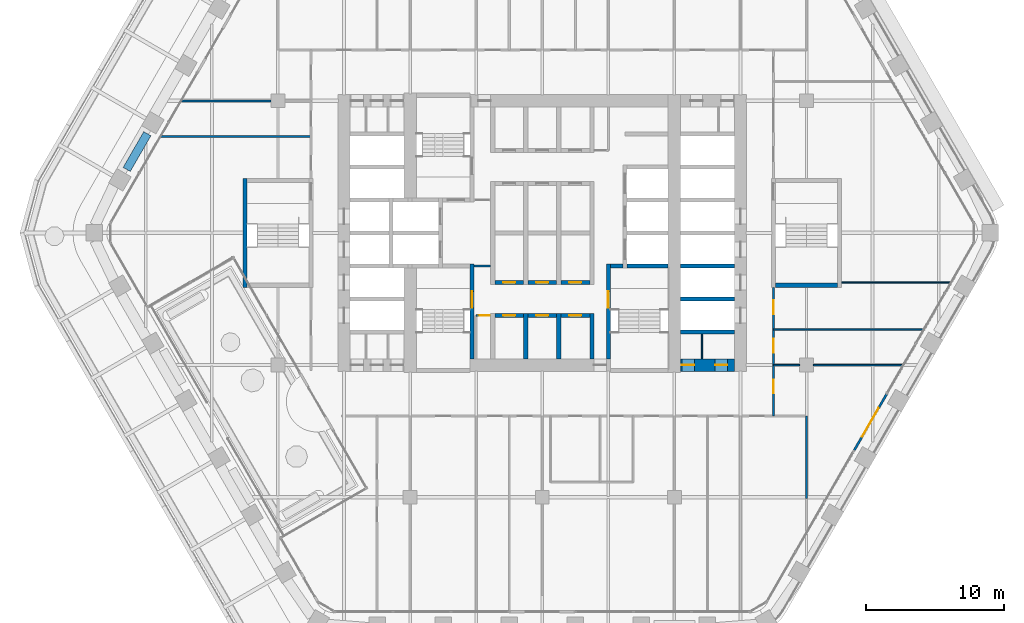
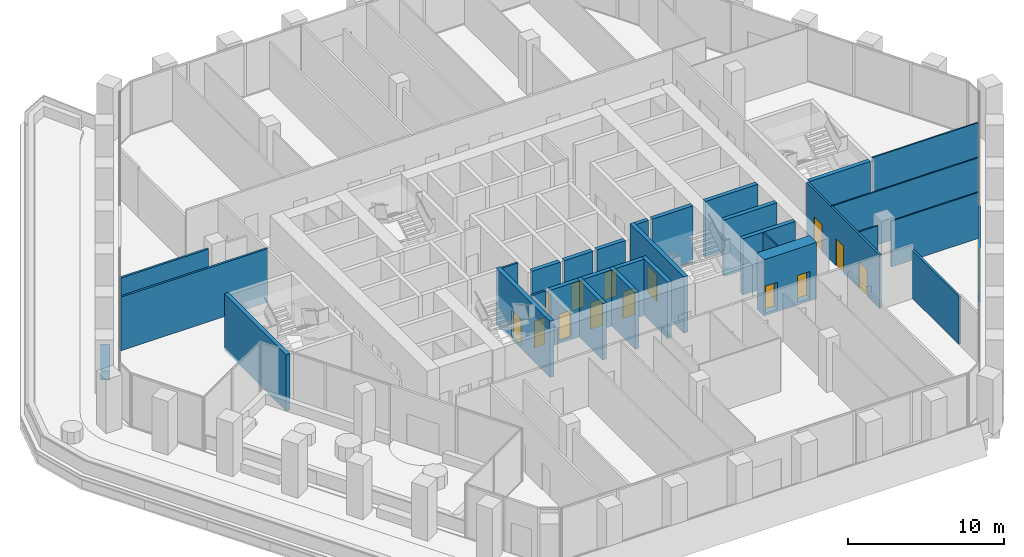
# One storey, part 16 of 27: 32 walls, 15 doors, 15 openings.
"""IFC4 building model written with IfcOpenShell, lengths in metres."""

from ifc_helpers import new_model, si_unit, direction, frame, frame_2d, origin, place, context, subcontext, project, spatial, rectangle, extrude, material, layer, layer_set, type_object, element, fill, save


model = new_model("IFC4")

# Units and contexts
model_context = context("Model", 3, precision=1e-05, world=origin(), true_north=direction((0.0, 1.0)))
body_context = subcontext(model_context, "Body", "Model", "MODEL_VIEW")
ifc_project = project(units=[si_unit("LENGTHUNIT", "METRE"), si_unit("AREAUNIT", "SQUARE_METRE"), si_unit("VOLUMEUNIT", "CUBIC_METRE"), si_unit("PLANEANGLEUNIT", "RADIAN"), si_unit("MASSUNIT", "GRAM", prefix="KILO")], contexts=[model_context])

# Site, building, storey
site_placement = place(None, origin())
site = spatial("IfcSite", under=ifc_project, at=site_placement, CompositionType="ELEMENT")
building_placement = place(site_placement, origin())
building = spatial("IfcBuilding", under=site, at=building_placement, Name="Kolab Exchange Tower", CompositionType="ELEMENT")
storey_placement = place(building_placement, frame((0.0, 0.0, 122.89990234375)))
storey = spatial("IfcBuildingStorey", under=building, at=storey_placement, Name="L24", CompositionType="ELEMENT", Elevation=122.89990234375)

# Wall, openings, doors
ifc_material_1 = material(Name="Concrete C70/85", Category="concrete")
ifc_layer_1 = layer(ifc_material_1, 0.89990234375)
ifc_layer_set_1 = layer_set([ifc_layer_1], Name="Concrete C70/85")
wall_type_1 = type_object("IfcWallType", Name="CORE WALL 900 C70/85", PredefinedType="SHEAR", material=ifc_layer_set_1)
wall_1_placement = place(storey_placement, frame((10.050048828125, -9.60009765625, -0.199951171875), z_axis=(0.0, 0.0, 1.0), x_axis=(1.0, 0.0, 0.0)))
wall_1 = element("IfcWall", 1, at=wall_1_placement, inside=storey, type_object=wall_type_1, Name="wall/L24/core/004", PredefinedType="SHEAR", context=body_context, shape_type="SweptSolid", body=[
    extrude(rectangle(XDim=3.89990234375, YDim=0.89990234375, at=frame_2d((1.949951171875, 0.0))), origin(), (0.0, 0.0, 1.0), 4.400146484375),
])
opening_1_placement = place(wall_1_placement, frame((0.10009765625, 0.0, 0.199951171875)))
opening_1 = element("IfcOpeningElement", 2, at=opening_1_placement, cuts=wall_1, Name="Opening D6-254", PredefinedType="OPENING", context=body_context, shape_type="SweptSolid", body=[
    extrude(rectangle(XDim=0.89990234375, YDim=2.10009765625, at=frame_2d((0.449951171875, 1.050048828125))), frame((0.0, 0.4599609375, 0.0), z_axis=(0.0, -1.0, 0.0), x_axis=(1.0, 0.0, 0.0)), (0.0, 0.0, 1.0), 0.919921875),
])
opening_2_placement = place(wall_1_placement, frame((2.5, 0.0, 0.199951171875)))
opening_2 = element("IfcOpeningElement", 3, at=opening_2_placement, cuts=wall_1, Name="Opening D6-255", PredefinedType="OPENING", context=body_context, shape_type="SweptSolid", body=[
    extrude(rectangle(XDim=0.89990234375, YDim=2.10009765625, at=frame_2d((0.449951171875, 1.050048828125))), frame((0.0, 0.4599609375, 0.0), z_axis=(0.0, -1.0, 0.0), x_axis=(1.0, 0.0, 0.0)), (0.0, 0.0, 1.0), 0.919921875),
])
ifc_material_2 = material(Name="Steel S235", Category="steel")
door_type_1 = type_object("IfcDoorType", Name="CORE DOOR 900 EI 120", OperationType="SINGLE_SWING_LEFT", PredefinedType="DOOR", material=ifc_material_2)
door_1_placement = place(opening_1_placement, origin())
door_1 = element("IfcDoor", 4, at=door_1_placement, inside=storey, type_object=door_type_1, Name="Service room door", OperationType="SINGLE_SWING_RIGHT", OverallHeight=2.10009765625, OverallWidth=0.89990234375, PredefinedType="DOOR", context=body_context, shape_type="SweptSolid", body=[
    extrude(rectangle(XDim=0.89990234375, YDim=2.10009765625, at=frame_2d((0.449951171875, 1.050048828125))), frame((0.0, 0.02490234375, 0.0), z_axis=(0.0, -1.0, 0.0), x_axis=(1.0, 0.0, 0.0)), (0.0, 0.0, 1.0), 0.050048828125),
])
fill(opening_1, door_1)
door_2_placement = place(opening_2_placement, origin())
door_2 = element("IfcDoor", 5, at=door_2_placement, inside=storey, type_object=door_type_1, Name="Service room door", OperationType="SINGLE_SWING_LEFT", OverallHeight=2.10009765625, OverallWidth=0.89990234375, PredefinedType="DOOR", context=body_context, shape_type="SweptSolid", body=[
    extrude(rectangle(XDim=0.89990234375, YDim=2.10009765625, at=frame_2d((0.449951171875, 1.050048828125))), frame((0.0, 0.02490234375, 0.0), z_axis=(0.0, -1.0, 0.0), x_axis=(1.0, 0.0, 0.0)), (0.0, 0.0, 1.0), 0.050048828125),
])
fill(opening_2, door_2)

# Wall, opening, door
ifc_material_3 = material(Name="Aluminium EN AW-6063 T6", Category="aluminium")
ifc_layer_2 = layer(ifc_material_3, 0.159912109375)
ifc_layer_set_2 = layer_set([ifc_layer_2], Name="Aluminium EN AW-6063 T6")
wall_type_2 = type_object("IfcWallType", Name="DOOR SURROUND WALL 160 ALUMINIUM FRAMED", PredefinedType="PARTITIONING", material=ifc_layer_set_2)
wall_2_placement = place(storey_placement, frame((25.0166015625, -11.706787109375, 0.0), z_axis=(0.0, 0.0, 1.0), x_axis=(-0.499978080042, -0.866038058908, 0.0)))
wall_2 = element("IfcWall", 6, at=wall_2_placement, inside=storey, type_object=wall_type_2, Name="Door surround wall", PredefinedType="PARTITIONING", context=body_context, shape_type="SweptSolid", body=[
    extrude(rectangle(XDim=4.739990234375, YDim=0.159912109375, at=frame_2d((2.3701171875, 0.0))), origin(), (0.0, 0.0, 1.0), 4.2001953125),
])
opening_3_placement = place(wall_2_placement, frame((1.169921875, 0.0, 0.0)))
opening_3 = element("IfcOpeningElement", 7, at=opening_3_placement, cuts=wall_2, Name="Opening GD1-045", PredefinedType="OPENING", context=body_context, shape_type="SweptSolid", body=[
    extrude(rectangle(XDim=2.39990234375, YDim=2.39990234375, at=frame_2d((1.199951171875, 1.199951171875))), frame((0.0, 0.08984375, 0.0), z_axis=(0.0, -1.0, 0.0), x_axis=(1.0, 0.0, 0.0)), (0.0, 0.0, 1.0), 0.179931640625),
])
door_type_2 = type_object("IfcDoorType", Name="LOGGIA SLIDING GLASS DOOR 2400 X 2400", OperationType="DOUBLE_DOOR_SINGLE_SWING", PredefinedType="DOOR", material=ifc_material_3)
door_3_placement = place(opening_3_placement, origin())
door_3 = element("IfcDoor", 8, at=door_3_placement, inside=storey, type_object=door_type_2, Name="Loggia door", OperationType="DOUBLE_DOOR_SLIDING", OverallHeight=2.39990234375, OverallWidth=2.39990234375, PredefinedType="DOOR", context=body_context, shape_type="SweptSolid", body=[
    extrude(rectangle(XDim=2.39990234375, YDim=2.39990234375, at=frame_2d((1.199951171875, 1.199951171875))), frame((0.0, 0.02490234375, 0.0), z_axis=(0.0, -1.0, 0.0), x_axis=(1.0, 0.0, 0.0)), (0.0, 0.0, 1.0), 0.050048828125),
])
fill(opening_3, door_3)

# Wall
ifc_material_4 = material(Name="Concrete C50/60", Category="concrete")
ifc_layer_3 = layer(ifc_material_4, 0.300048828125)
ifc_layer_set_3 = layer_set([ifc_layer_3], Name="Concrete C50/60")
wall_type_3 = type_object("IfcWallType", Name="LIFT SHAFT WALL 300 C50/60", PredefinedType="STANDARD", material=ifc_layer_set_3)
wall_3_placement = place(storey_placement, frame((10.050048828125, -7.199951171875, -0.199951171875), z_axis=(0.0, 0.0, 1.0), x_axis=(1.0, 0.0, 0.0)))
element("IfcWall", 9, at=wall_3_placement, inside=storey, type_object=wall_type_3, Name="wall/L24/core/006", PredefinedType="STANDARD", context=body_context, shape_type="SweptSolid", body=[
    extrude(rectangle(XDim=3.89990234375, YDim=0.300048828125, at=frame_2d((1.949951171875, 0.0))), origin(), (0.0, 0.0, 1.0), 4.400146484375),
])

# Wall, opening, door
wall_4_placement = place(storey_placement, frame((-3.449951171875, -6.0, -0.199951171875), z_axis=(0.0, 0.0, 1.0), x_axis=(1.0, 0.0, 0.0)))
wall_4 = element("IfcWall", 10, at=wall_4_placement, inside=storey, type_object=wall_type_3, Name="wall/L24/core/007", PredefinedType="STANDARD", context=body_context, shape_type="SweptSolid", body=[
    extrude(rectangle(XDim=2.099853515625, YDim=0.300048828125, at=frame_2d((1.0498046875, 0.0))), origin(), (0.0, 0.0, 1.0), 4.400146484375),
])
opening_4_placement = place(wall_4_placement, frame((0.60009765625, 0.0, 0.199951171875)))
opening_4 = element("IfcOpeningElement", 11, at=opening_4_placement, cuts=wall_4, Name="Opening D6-247", PredefinedType="OPENING", context=body_context, shape_type="SweptSolid", body=[
    extrude(rectangle(XDim=0.89990234375, YDim=2.10009765625, at=frame_2d((0.449951171875, 1.050048828125))), frame((0.0, 0.16015625, 0.0), z_axis=(0.0, -1.0, 0.0), x_axis=(1.0, 0.0, 0.0)), (0.0, 0.0, 1.0), 0.320068359375),
])
door_4_placement = place(opening_4_placement, frame((0.89990234375, 0.0, 0.0), z_axis=(0.0, 0.0, 1.0), x_axis=(-1.0, 0.0, 0.0)))
door_4 = element("IfcDoor", 12, at=door_4_placement, inside=storey, type_object=door_type_1, Name="Service room door", OperationType="SINGLE_SWING_LEFT", OverallHeight=2.10009765625, OverallWidth=0.89990234375, PredefinedType="DOOR", context=body_context, shape_type="SweptSolid", body=[
    extrude(rectangle(XDim=0.89990234375, YDim=2.10009765625, at=frame_2d((0.449951171875, 1.050048828125))), frame((0.0, 0.02490234375, 0.0), z_axis=(0.0, -1.0, 0.0), x_axis=(1.0, 0.0, 0.0)), (0.0, 0.0, 1.0), 0.050048828125),
])
fill(opening_4, door_4)

wall_5_placement = place(storey_placement, frame((-1.050048828125, -6.0, -0.199951171875), z_axis=(0.0, 0.0, 1.0), x_axis=(1.0, 0.0, 0.0)))
wall_5 = element("IfcWall", 13, at=wall_5_placement, inside=storey, type_object=wall_type_3, Name="wall/L24/core/008", PredefinedType="STANDARD", context=body_context, shape_type="SweptSolid", body=[
    extrude(rectangle(XDim=2.10009765625, YDim=0.300048828125, at=frame_2d((1.050048828125, 0.0))), origin(), (0.0, 0.0, 1.0), 4.400146484375),
])
opening_5_placement = place(wall_5_placement, frame((0.60009765625, 0.0, 0.199951171875)))
opening_5 = element("IfcOpeningElement", 14, at=opening_5_placement, cuts=wall_5, Name="Opening D6-246", PredefinedType="OPENING", context=body_context, shape_type="SweptSolid", body=[
    extrude(rectangle(XDim=0.89990234375, YDim=2.10009765625, at=frame_2d((0.449951171875, 1.050048828125))), frame((0.0, 0.16015625, 0.0), z_axis=(0.0, -1.0, 0.0), x_axis=(1.0, 0.0, 0.0)), (0.0, 0.0, 1.0), 0.320068359375),
])
door_5_placement = place(opening_5_placement, frame((0.89990234375, 0.0, 0.0), z_axis=(0.0, 0.0, 1.0), x_axis=(-1.0, 0.0, 0.0)))
door_5 = element("IfcDoor", 15, at=door_5_placement, inside=storey, type_object=door_type_1, Name="Service room door", OperationType="SINGLE_SWING_LEFT", OverallHeight=2.10009765625, OverallWidth=0.89990234375, PredefinedType="DOOR", context=body_context, shape_type="SweptSolid", body=[
    extrude(rectangle(XDim=0.89990234375, YDim=2.10009765625, at=frame_2d((0.449951171875, 1.050048828125))), frame((0.0, 0.02490234375, 0.0), z_axis=(0.0, -1.0, 0.0), x_axis=(1.0, 0.0, 0.0)), (0.0, 0.0, 1.0), 0.050048828125),
])
fill(opening_5, door_5)

wall_6_placement = place(storey_placement, frame((1.35009765625, -6.0, -0.199951171875), z_axis=(0.0, 0.0, 1.0), x_axis=(1.0, 0.0, 0.0)))
wall_6 = element("IfcWall", 16, at=wall_6_placement, inside=storey, type_object=wall_type_3, Name="wall/L24/core/009", PredefinedType="STANDARD", context=body_context, shape_type="SweptSolid", body=[
    extrude(rectangle(XDim=2.099853515625, YDim=0.300048828125, at=frame_2d((1.0498046875, 0.0))), origin(), (0.0, 0.0, 1.0), 4.400146484375),
])
opening_6_placement = place(wall_6_placement, frame((0.60009765625, 0.0, 0.199951171875)))
opening_6 = element("IfcOpeningElement", 17, at=opening_6_placement, cuts=wall_6, Name="Opening D6-245", PredefinedType="OPENING", context=body_context, shape_type="SweptSolid", body=[
    extrude(rectangle(XDim=0.89990234375, YDim=2.10009765625, at=frame_2d((0.449951171875, 1.050048828125))), frame((0.0, 0.16015625, 0.0), z_axis=(0.0, -1.0, 0.0), x_axis=(1.0, 0.0, 0.0)), (0.0, 0.0, 1.0), 0.320068359375),
])
door_6_placement = place(opening_6_placement, frame((0.89990234375, 0.0, 0.0), z_axis=(0.0, 0.0, 1.0), x_axis=(-1.0, 0.0, 0.0)))
door_6 = element("IfcDoor", 18, at=door_6_placement, inside=storey, type_object=door_type_1, Name="Service room door", OperationType="SINGLE_SWING_RIGHT", OverallHeight=2.10009765625, OverallWidth=0.89990234375, PredefinedType="DOOR", context=body_context, shape_type="SweptSolid", body=[
    extrude(rectangle(XDim=0.89990234375, YDim=2.10009765625, at=frame_2d((0.449951171875, 1.050048828125))), frame((0.0, 0.02490234375, 0.0), z_axis=(0.0, -1.0, 0.0), x_axis=(1.0, 0.0, 0.0)), (0.0, 0.0, 1.0), 0.050048828125),
])
fill(opening_6, door_6)

# Wall
wall_7_placement = place(storey_placement, frame((10.050048828125, -4.800048828125, -0.199951171875), z_axis=(0.0, 0.0, 1.0), x_axis=(1.0, 0.0, 0.0)))
element("IfcWall", 19, at=wall_7_placement, inside=storey, type_object=wall_type_3, Name="wall/L24/core/011", PredefinedType="STANDARD", context=body_context, shape_type="SweptSolid", body=[
    extrude(rectangle(XDim=3.89990234375, YDim=0.300048828125, at=frame_2d((1.949951171875, 0.0))), origin(), (0.0, 0.0, 1.0), 4.400146484375),
])

# Wall, opening, door
wall_8_placement = place(storey_placement, frame((-3.449951171875, -3.60009765625, -0.199951171875), z_axis=(0.0, 0.0, 1.0), x_axis=(1.0, 0.0, 0.0)))
wall_8 = element("IfcWall", 20, at=wall_8_placement, inside=storey, type_object=wall_type_3, Name="wall/L24/core/014", PredefinedType="STANDARD", context=body_context, shape_type="SweptSolid", body=[
    extrude(rectangle(XDim=2.099853515625, YDim=0.300048828125, at=frame_2d((1.0498046875, 0.0))), origin(), (0.0, 0.0, 1.0), 4.400146484375),
])
opening_7_placement = place(wall_8_placement, frame((0.60009765625, 0.0, 0.199951171875)))
opening_7 = element("IfcOpeningElement", 21, at=opening_7_placement, cuts=wall_8, Name="Opening D6-244", PredefinedType="OPENING", context=body_context, shape_type="SweptSolid", body=[
    extrude(rectangle(XDim=0.89990234375, YDim=2.10009765625, at=frame_2d((0.449951171875, 1.050048828125))), frame((0.0, 0.16015625, 0.0), z_axis=(0.0, -1.0, 0.0), x_axis=(1.0, 0.0, 0.0)), (0.0, 0.0, 1.0), 0.320068359375),
])
door_7_placement = place(opening_7_placement, origin())
door_7 = element("IfcDoor", 22, at=door_7_placement, inside=storey, type_object=door_type_1, Name="Service room door", OperationType="SINGLE_SWING_LEFT", OverallHeight=2.10009765625, OverallWidth=0.89990234375, PredefinedType="DOOR", context=body_context, shape_type="SweptSolid", body=[
    extrude(rectangle(XDim=0.89990234375, YDim=2.10009765625, at=frame_2d((0.449951171875, 1.050048828125))), frame((0.0, 0.02490234375, 0.0), z_axis=(0.0, -1.0, 0.0), x_axis=(1.0, 0.0, 0.0)), (0.0, 0.0, 1.0), 0.050048828125),
])
fill(opening_7, door_7)

wall_9_placement = place(storey_placement, frame((-1.050048828125, -3.60009765625, -0.199951171875), z_axis=(0.0, 0.0, 1.0), x_axis=(1.0, 0.0, 0.0)))
wall_9 = element("IfcWall", 23, at=wall_9_placement, inside=storey, type_object=wall_type_3, Name="wall/L24/core/015", PredefinedType="STANDARD", context=body_context, shape_type="SweptSolid", body=[
    extrude(rectangle(XDim=2.10009765625, YDim=0.300048828125, at=frame_2d((1.050048828125, 0.0))), origin(), (0.0, 0.0, 1.0), 4.400146484375),
])
opening_8_placement = place(wall_9_placement, frame((0.60009765625, 0.0, 0.199951171875)))
opening_8 = element("IfcOpeningElement", 24, at=opening_8_placement, cuts=wall_9, Name="Opening D6-243", PredefinedType="OPENING", context=body_context, shape_type="SweptSolid", body=[
    extrude(rectangle(XDim=0.89990234375, YDim=2.10009765625, at=frame_2d((0.449951171875, 1.050048828125))), frame((0.0, 0.16015625, 0.0), z_axis=(0.0, -1.0, 0.0), x_axis=(1.0, 0.0, 0.0)), (0.0, 0.0, 1.0), 0.320068359375),
])
door_8_placement = place(opening_8_placement, origin())
door_8 = element("IfcDoor", 25, at=door_8_placement, inside=storey, type_object=door_type_1, Name="Service room door", OperationType="SINGLE_SWING_LEFT", OverallHeight=2.10009765625, OverallWidth=0.89990234375, PredefinedType="DOOR", context=body_context, shape_type="SweptSolid", body=[
    extrude(rectangle(XDim=0.89990234375, YDim=2.10009765625, at=frame_2d((0.449951171875, 1.050048828125))), frame((0.0, 0.02490234375, 0.0), z_axis=(0.0, -1.0, 0.0), x_axis=(1.0, 0.0, 0.0)), (0.0, 0.0, 1.0), 0.050048828125),
])
fill(opening_8, door_8)

wall_10_placement = place(storey_placement, frame((1.35009765625, -3.60009765625, -0.199951171875), z_axis=(0.0, 0.0, 1.0), x_axis=(1.0, 0.0, 0.0)))
wall_10 = element("IfcWall", 26, at=wall_10_placement, inside=storey, type_object=wall_type_3, Name="wall/L24/core/016", PredefinedType="STANDARD", context=body_context, shape_type="SweptSolid", body=[
    extrude(rectangle(XDim=2.099853515625, YDim=0.300048828125, at=frame_2d((1.0498046875, 0.0))), origin(), (0.0, 0.0, 1.0), 4.400146484375),
])
opening_9_placement = place(wall_10_placement, frame((0.60009765625, 0.0, 0.199951171875)))
opening_9 = element("IfcOpeningElement", 27, at=opening_9_placement, cuts=wall_10, Name="Opening D6-242", PredefinedType="OPENING", context=body_context, shape_type="SweptSolid", body=[
    extrude(rectangle(XDim=0.89990234375, YDim=2.10009765625, at=frame_2d((0.449951171875, 1.050048828125))), frame((0.0, 0.16015625, 0.0), z_axis=(0.0, -1.0, 0.0), x_axis=(1.0, 0.0, 0.0)), (0.0, 0.0, 1.0), 0.320068359375),
])
door_9_placement = place(opening_9_placement, origin())
door_9 = element("IfcDoor", 28, at=door_9_placement, inside=storey, type_object=door_type_1, Name="Service room door", OperationType="SINGLE_SWING_RIGHT", OverallHeight=2.10009765625, OverallWidth=0.89990234375, PredefinedType="DOOR", context=body_context, shape_type="SweptSolid", body=[
    extrude(rectangle(XDim=0.89990234375, YDim=2.10009765625, at=frame_2d((0.449951171875, 1.050048828125))), frame((0.0, 0.02490234375, 0.0), z_axis=(0.0, -1.0, 0.0), x_axis=(1.0, 0.0, 0.0)), (0.0, 0.0, 1.0), 0.050048828125),
])
fill(opening_9, door_9)

# Walls
wall_11_placement = place(storey_placement, frame((10.050048828125, -2.39990234375, -0.199951171875), z_axis=(0.0, 0.0, 1.0), x_axis=(1.0, 0.0, 0.0)))
element("IfcWall", 29, at=wall_11_placement, inside=storey, type_object=wall_type_3, Name="wall/L24/core/023", PredefinedType="STANDARD", context=body_context, shape_type="SweptSolid", body=[
    extrude(rectangle(XDim=3.89990234375, YDim=0.300048828125, at=frame_2d((1.949951171875, 0.0))), origin(), (0.0, 0.0, 1.0), 4.400146484375),
])
for number, where, z_axis, x_axis, name in (
    (30, (-1.199951171875, -9.14990234375, -0.199951171875), (0.0, 0.0, 1.0), (0.0, 1.0, 0.0), "wall/L24/core/069"),
    (31, (1.199951171875, -9.14990234375, -0.199951171875), (0.0, 0.0, 1.0), (0.0, 1.0, 0.0), "wall/L24/core/072"),
    (32, (3.60009765625, -9.14990234375, -0.199951171875), (0.0, 0.0, 1.0), (0.0, 1.0, 0.0), "wall/L24/core/075"),
):
    element("IfcWall", number, at=place(storey_placement, frame(where, z_axis=z_axis, x_axis=x_axis)), inside=storey, type_object=wall_type_3, Name=name, PredefinedType="STANDARD", context=body_context, shape_type="SweptSolid", body=[
        extrude(rectangle(XDim=3.2998046875, YDim=0.300048828125, at=frame_2d((1.64990234375, 0.0))), origin(), (0.0, 0.0, 1.0), 4.400146484375),
    ])
ifc_material_5 = material(Name="Gypsum board", Category="gypsum")
ifc_layer_4 = layer(ifc_material_5, 0.10009765625)
ifc_layer_set_4 = layer_set([ifc_layer_4], Name="Gypsum board")
wall_type_4 = type_object("IfcWallType", Name="PARTITION 100", PredefinedType="PARTITIONING", material=ifc_layer_set_4)
wall_12_placement = place(storey_placement, frame((11.60009765625, -9.14990234375, 0.0), z_axis=(0.0, 0.0, 1.0), x_axis=(0.0, 1.0, 0.0)))
element("IfcWall", 33, at=wall_12_placement, inside=storey, type_object=wall_type_4, Name="Partition 008", PredefinedType="PARTITIONING", context=body_context, shape_type="SweptSolid", body=[
    extrude(rectangle(XDim=1.7998046875, YDim=0.10009765625, at=frame_2d((0.89990234375, 0.0))), origin(), (0.0, 0.0, 1.0), 4.2001953125),
])
wall_13_placement = place(storey_placement, frame((16.800048828125, -9.60009765625, 0.0), z_axis=(0.0, 0.0, 1.0), x_axis=(1.0, 0.0, 0.0)))
element("IfcWall", 34, at=wall_13_placement, inside=storey, type_object=wall_type_4, Name="Partition 043", PredefinedType="PARTITIONING", context=body_context, shape_type="SweptSolid", body=[
    extrude(rectangle(XDim=1.89990234375, YDim=0.10009765625, at=frame_2d((0.949951171875, 0.0))), origin(), (0.0, 0.0, 1.0), 3.592041015625),
])
wall_14_placement = place(storey_placement, frame((19.699951171875, -9.60009765625, 0.0), z_axis=(0.0, 0.0, 1.0), x_axis=(1.0, 0.0, 0.0)))
element("IfcWall", 35, at=wall_14_placement, inside=storey, type_object=wall_type_4, Name="Partition 044", PredefinedType="PARTITIONING", context=body_context, shape_type="SweptSolid", body=[
    extrude(rectangle(XDim=6.48681640625, YDim=0.10009765625, at=frame_2d((3.243408203125, 0.0))), origin(), (0.0, 0.0, 1.0), 3.592041015625),
])
wall_15_placement = place(storey_placement, frame((16.800048828125, -7.0, 0.0), z_axis=(0.0, 0.0, 1.0), x_axis=(1.0, 0.0, 0.0)))
element("IfcWall", 36, at=wall_15_placement, inside=storey, type_object=wall_type_4, Name="Partition 045", PredefinedType="PARTITIONING", context=body_context, shape_type="SweptSolid", body=[
    extrude(rectangle(XDim=10.887939453125, YDim=0.10009765625, at=frame_2d((5.44384765625, 0.0))), origin(), (0.0, 0.0, 1.0), 4.2001953125),
])
wall_16_placement = place(storey_placement, frame((21.75, -3.60009765625, 0.0), z_axis=(0.0, 0.0, 1.0), x_axis=(1.0, 0.0, 0.0)))
element("IfcWall", 37, at=wall_16_placement, inside=storey, type_object=wall_type_4, Name="Partition 047", PredefinedType="PARTITIONING", context=body_context, shape_type="SweptSolid", body=[
    extrude(rectangle(XDim=7.90087890625, YDim=0.10009765625, at=frame_2d((3.950439453125, 0.0))), origin(), (0.0, 0.0, 1.0), 4.2001953125),
])
ifc_layer_5 = layer(ifc_material_5, 0.14990234375)
ifc_layer_set_5 = layer_set([ifc_layer_5], Name="Gypsum board")
wall_type_5 = type_object("IfcWallType", Name="PARTITION 150 FIRE-RATED", PredefinedType="PARTITIONING", material=ifc_layer_set_5)
wall_17_placement = place(storey_placement, frame((19.199951171875, -19.29345703125, 0.0), z_axis=(0.0, 0.0, 1.0), x_axis=(0.0, 1.0, 0.0)))
element("IfcWall", 38, at=wall_17_placement, inside=storey, type_object=wall_type_5, Name="Partition 001", PredefinedType="PARTITIONING", context=body_context, shape_type="SweptSolid", body=[
    extrude(rectangle(XDim=5.993408203125, YDim=0.14990234375, at=frame_2d((2.99658203125, 0.0))), origin(), (0.0, 0.0, 1.0), 3.7431640625),
])

# Wall, openings, doors
wall_18_placement = place(storey_placement, frame((16.800048828125, -13.300048828125, 0.0), z_axis=(0.0, 0.0, 1.0), x_axis=(0.0, 1.0, 0.0)))
wall_18 = element("IfcWall", 39, at=wall_18_placement, inside=storey, type_object=wall_type_5, Name="Partition 002", PredefinedType="PARTITIONING", context=body_context, shape_type="SweptSolid", body=[
    extrude(rectangle(XDim=9.35009765625, YDim=0.14990234375, at=frame_2d((4.675048828125, 0.0))), origin(), (0.0, 0.0, 1.0), 4.2001953125),
])
opening_10_placement = place(wall_18_placement, frame((1.639892578125, 0.0, 0.0)))
opening_10 = element("IfcOpeningElement", 40, at=opening_10_placement, cuts=wall_18, Name="Opening D1-349", PredefinedType="OPENING", context=body_context, shape_type="SweptSolid", body=[
    extrude(rectangle(XDim=1.0, YDim=2.10009765625, at=frame_2d((0.5, 1.050048828125))), frame((0.0, 0.0849609375, 0.0), z_axis=(0.0, -1.0, 0.0), x_axis=(1.0, 0.0, 0.0)), (0.0, 0.0, 1.0), 0.169921875),
])
opening_11_placement = place(wall_18_placement, frame((4.60498046875, 0.0, 0.0)))
opening_11 = element("IfcOpeningElement", 41, at=opening_11_placement, cuts=wall_18, Name="Opening D1-350", PredefinedType="OPENING", context=body_context, shape_type="SweptSolid", body=[
    extrude(rectangle(XDim=1.0, YDim=2.10009765625, at=frame_2d((0.5, 1.050048828125))), frame((0.0, 0.0849609375, 0.0), z_axis=(0.0, -1.0, 0.0), x_axis=(1.0, 0.0, 0.0)), (0.0, 0.0, 1.0), 0.169921875),
])
opening_12_placement = place(wall_18_placement, frame((7.39990234375, 0.0, 0.0)))
opening_12 = element("IfcOpeningElement", 42, at=opening_12_placement, cuts=wall_18, Name="Opening D1-351", PredefinedType="OPENING", context=body_context, shape_type="SweptSolid", body=[
    extrude(rectangle(XDim=1.0, YDim=2.10009765625, at=frame_2d((0.5, 1.050048828125))), frame((0.0, 0.0849609375, 0.0), z_axis=(0.0, -1.0, 0.0), x_axis=(1.0, 0.0, 0.0)), (0.0, 0.0, 1.0), 0.169921875),
])
door_type_3 = type_object("IfcDoorType", Name="FLUSH DOOR 1000 FD60", OperationType="SINGLE_SWING_LEFT", PredefinedType="DOOR", material=ifc_material_2)
door_10_placement = place(opening_10_placement, frame((1.0, 0.0, 0.0), z_axis=(0.0, 0.0, 1.0), x_axis=(-1.0, 0.0, 0.0)))
door_10 = element("IfcDoor", 43, at=door_10_placement, inside=storey, type_object=door_type_3, Name="Door L24-070", OperationType="SINGLE_SWING_RIGHT", OverallHeight=2.10009765625, OverallWidth=1.0, PredefinedType="DOOR", context=body_context, shape_type="SweptSolid", body=[
    extrude(rectangle(XDim=1.0, YDim=2.10009765625, at=frame_2d((0.5, 1.050048828125))), frame((0.0, 0.02490234375, 0.0), z_axis=(0.0, -1.0, 0.0), x_axis=(1.0, 0.0, 0.0)), (0.0, 0.0, 1.0), 0.050048828125),
])
fill(opening_10, door_10)
door_11_placement = place(opening_11_placement, frame((1.0, 0.0, 0.0), z_axis=(0.0, 0.0, 1.0), x_axis=(-1.0, 0.0, 0.0)))
door_11 = element("IfcDoor", 44, at=door_11_placement, inside=storey, type_object=door_type_3, Name="Door L24-071", OperationType="SINGLE_SWING_RIGHT", OverallHeight=2.10009765625, OverallWidth=1.0, PredefinedType="DOOR", context=body_context, shape_type="SweptSolid", body=[
    extrude(rectangle(XDim=1.0, YDim=2.10009765625, at=frame_2d((0.5, 1.050048828125))), frame((0.0, 0.02490234375, 0.0), z_axis=(0.0, -1.0, 0.0), x_axis=(1.0, 0.0, 0.0)), (0.0, 0.0, 1.0), 0.050048828125),
])
fill(opening_11, door_11)
door_12_placement = place(opening_12_placement, frame((1.0, 0.0, 0.0), z_axis=(0.0, 0.0, 1.0), x_axis=(-1.0, 0.0, 0.0)))
door_12 = element("IfcDoor", 45, at=door_12_placement, inside=storey, type_object=door_type_3, Name="Door L24-072", OperationType="SINGLE_SWING_LEFT", OverallHeight=2.10009765625, OverallWidth=1.0, PredefinedType="DOOR", context=body_context, shape_type="SweptSolid", body=[
    extrude(rectangle(XDim=1.0, YDim=2.10009765625, at=frame_2d((0.5, 1.050048828125))), frame((0.0, 0.02490234375, 0.0), z_axis=(0.0, -1.0, 0.0), x_axis=(1.0, 0.0, 0.0)), (0.0, 0.0, 1.0), 0.050048828125),
])
fill(opening_12, door_12)

# Wall, opening, door
wall_19_placement = place(storey_placement, frame((-4.800048828125, -6.0, 0.0), z_axis=(0.0, 0.0, 1.0), x_axis=(1.0, 0.0, 0.0)))
wall_19 = element("IfcWall", 46, at=wall_19_placement, inside=storey, type_object=wall_type_5, Name="Partition 046", PredefinedType="PARTITIONING", context=body_context, shape_type="SweptSolid", body=[
    extrude(rectangle(XDim=1.050048828125, YDim=0.14990234375, at=frame_2d((0.52490234375, 0.0))), origin(), (0.0, 0.0, 1.0), 4.2001953125),
])
opening_13_placement = place(wall_19_placement, frame((0.199951171875, 0.0, 0.0)))
opening_13 = element("IfcOpeningElement", 47, at=opening_13_placement, cuts=wall_19, Name="Opening D7-025", PredefinedType="OPENING", context=body_context, shape_type="SweptSolid", body=[
    extrude(rectangle(XDim=0.800048828125, YDim=2.10009765625, at=frame_2d((0.39990234375, 1.050048828125))), frame((0.0, 0.0849609375, 0.0), z_axis=(0.0, -1.0, 0.0), x_axis=(1.0, 0.0, 0.0)), (0.0, 0.0, 1.0), 0.169921875),
])
door_type_4 = type_object("IfcDoorType", Name="FLUSH DOOR 800 FD60", OperationType="SINGLE_SWING_LEFT", PredefinedType="DOOR", material=ifc_material_2)
door_13_placement = place(opening_13_placement, frame((0.800048828125, 0.0, 0.0), z_axis=(0.0, 0.0, 1.0), x_axis=(-1.0, 0.0, 0.0)))
door_13 = element("IfcDoor", 48, at=door_13_placement, inside=storey, type_object=door_type_4, Name="Door L24-044", OperationType="SINGLE_SWING_RIGHT", OverallHeight=2.10009765625, OverallWidth=0.800048828125, PredefinedType="DOOR", context=body_context, shape_type="SweptSolid", body=[
    extrude(rectangle(XDim=0.800048828125, YDim=2.10009765625, at=frame_2d((0.39990234375, 1.050048828125))), frame((0.0, 0.02490234375, 0.0), z_axis=(0.0, -1.0, 0.0), x_axis=(1.0, 0.0, 0.0)), (0.0, 0.0, 1.0), 0.050048828125),
])
fill(opening_13, door_13)

# Walls
wall_20_placement = place(storey_placement, frame((-27.68798828125, 7.0, 0.0), z_axis=(0.0, 0.0, 1.0), x_axis=(1.0, 0.0, 0.0)))
element("IfcWall", 49, at=wall_20_placement, inside=storey, type_object=wall_type_5, Name="Partition 049", PredefinedType="PARTITIONING", context=body_context, shape_type="SweptSolid", body=[
    extrude(rectangle(XDim=10.887939453125, YDim=0.14990234375, at=frame_2d((5.44384765625, 0.0))), origin(), (0.0, 0.0, 1.0), 4.2001953125),
])
wall_21_placement = place(storey_placement, frame((-26.186767578125, 9.60009765625, 0.0), z_axis=(0.0, 0.0, 1.0), x_axis=(1.0, 0.0, 0.0)))
element("IfcWall", 50, at=wall_21_placement, inside=storey, type_object=wall_type_5, Name="Partition 050", PredefinedType="PARTITIONING", context=body_context, shape_type="SweptSolid", body=[
    extrude(rectangle(XDim=6.48681640625, YDim=0.14990234375, at=frame_2d((3.243408203125, 0.0))), origin(), (0.0, 0.0, 1.0), 3.592041015625),
])
wall_22_placement = place(storey_placement, frame((-4.949951171875, -2.39990234375, 0.0), z_axis=(0.0, 0.0, 1.0), x_axis=(1.0, 0.0, 0.0)))
element("IfcWall", 51, at=wall_22_placement, inside=storey, type_object=wall_type_5, Name="Fire partition", PredefinedType="PARTITIONING", context=body_context, shape_type="SweptSolid", body=[
    extrude(rectangle(XDim=1.199951171875, YDim=0.14990234375, at=frame_2d((0.60009765625, 0.0))), origin(), (0.0, 0.0, 1.0), 4.2001953125),
])
ifc_material_6 = material(Name="Granite facing", Category="masonry")
ifc_layer_6 = layer(ifc_material_6, 0.0400390625)
ifc_material_7 = material(Name="Concrete C40/50 precast", Category="concrete")
ifc_layer_7 = layer(ifc_material_7, 0.56005859375)
ifc_layer_set_6 = layer_set([ifc_layer_6, ifc_layer_7], Name="Concrete C40/50 precast")
wall_type_6 = type_object("IfcWallType", Name="PLANTER BOX 600 X 700 SOIL DEPTH 550", PredefinedType="USERDEFINED", material=ifc_layer_set_6)
wall_23_placement = place(storey_placement, frame((-30.18701171875, 4.611328125, 0.0), z_axis=(0.0, 0.0, 1.0), x_axis=(0.499990139034, 0.866031096941, 0.0)))
element("IfcWall", 52, at=wall_23_placement, inside=storey, type_object=wall_type_6, Name="Planter", ObjectType="PLANTER", PredefinedType="USERDEFINED", context=body_context, shape_type="SweptSolid", body=[
    extrude(rectangle(XDim=3.0, YDim=0.60009765625, at=frame_2d((1.5, 0.0))), origin(), (0.0, 0.0, 1.0), 0.7001953125),
])
ifc_layer_8 = layer(ifc_material_4, 0.300048828125)
ifc_layer_set_7 = layer_set([ifc_layer_8], Name="Concrete C50/60")
wall_type_7 = type_object("IfcWallType", Name="STAIR ENCLOSURE WALL 300 C50/60", PredefinedType="STANDARD", material=ifc_layer_set_7)
wall_24_placement = place(storey_placement, frame((16.949951171875, -3.800048828125, -0.199951171875), z_axis=(0.0, 0.0, 1.0), x_axis=(1.0, 0.0, 0.0)))
element("IfcWall", 53, at=wall_24_placement, inside=storey, type_object=wall_type_7, Name="wall/L24/core/013", PredefinedType="STANDARD", context=body_context, shape_type="SweptSolid", body=[
    extrude(rectangle(XDim=4.5, YDim=0.300048828125, at=frame_2d((2.25, 0.0))), origin(), (0.0, 0.0, 1.0), 4.400146484375),
])
wall_25_placement = place(storey_placement, frame((4.949951171875, -2.39990234375, -0.199951171875), z_axis=(0.0, 0.0, 1.0), x_axis=(1.0, 0.0, 0.0)))
element("IfcWall", 54, at=wall_25_placement, inside=storey, type_object=wall_type_7, Name="wall/L24/core/021", PredefinedType="STANDARD", context=body_context, shape_type="SweptSolid", body=[
    extrude(rectangle(XDim=0.900146484375, YDim=0.300048828125, at=frame_2d((0.4501953125, 0.0))), origin(), (0.0, 0.0, 1.0), 4.400146484375),
])
wall_26_placement = place(storey_placement, frame((6.14990234375, -2.39990234375, -0.199951171875), z_axis=(0.0, 0.0, 1.0), x_axis=(1.0, 0.0, 0.0)))
element("IfcWall", 55, at=wall_26_placement, inside=storey, type_object=wall_type_7, Name="wall/L24/core/022", PredefinedType="STANDARD", context=body_context, shape_type="SweptSolid", body=[
    extrude(rectangle(XDim=3.0, YDim=0.300048828125, at=frame_2d((1.5, 0.0))), origin(), (0.0, 0.0, 1.0), 4.400146484375),
])
wall_27_placement = place(storey_placement, frame((-21.60009765625, -3.949951171875, -0.199951171875), z_axis=(0.0, 0.0, 1.0), x_axis=(0.0, 1.0, 0.0)))
element("IfcWall", 56, at=wall_27_placement, inside=storey, type_object=wall_type_7, Name="wall/L24/core/055", PredefinedType="STANDARD", context=body_context, shape_type="SweptSolid", body=[
    extrude(rectangle(XDim=7.89990234375, YDim=0.300048828125, at=frame_2d((3.949951171875, 0.0))), origin(), (0.0, 0.0, 1.0), 4.400146484375),
])

# Wall, opening, door
wall_28_placement = place(storey_placement, frame((-5.10009765625, -9.14990234375, -0.199951171875), z_axis=(0.0, 0.0, 1.0), x_axis=(0.0, 1.0, 0.0)))
wall_28 = element("IfcWall", 57, at=wall_28_placement, inside=storey, type_object=wall_type_7, Name="wall/L24/core/064", PredefinedType="STANDARD", context=body_context, shape_type="SweptSolid", body=[
    extrude(rectangle(XDim=6.89990234375, YDim=0.300048828125, at=frame_2d((3.449951171875, 0.0))), origin(), (0.0, 0.0, 1.0), 4.400146484375),
])
opening_14_placement = place(wall_28_placement, frame((3.699951171875, 0.0, 0.199951171875)))
opening_14 = element("IfcOpeningElement", 58, at=opening_14_placement, cuts=wall_28, Name="Opening D4-052", PredefinedType="OPENING", context=body_context, shape_type="SweptSolid", body=[
    extrude(rectangle(XDim=1.199951171875, YDim=2.10009765625, at=frame_2d((0.60009765625, 1.050048828125))), frame((0.0, 0.16015625, 0.0), z_axis=(0.0, -1.0, 0.0), x_axis=(1.0, 0.0, 0.0)), (0.0, 0.0, 1.0), 0.320068359375),
])
door_type_5 = type_object("IfcDoorType", Name="STAIR DOOR 1200 EI 120", OperationType="SINGLE_SWING_LEFT", PredefinedType="DOOR", material=ifc_material_2)
door_14_placement = place(opening_14_placement, origin())
door_14 = element("IfcDoor", 59, at=door_14_placement, inside=storey, type_object=door_type_5, Name="Stair 3 door", OperationType="SINGLE_SWING_RIGHT", OverallHeight=2.10009765625, OverallWidth=1.199951171875, PredefinedType="DOOR", context=body_context, shape_type="SweptSolid", body=[
    extrude(rectangle(XDim=1.199951171875, YDim=2.10009765625, at=frame_2d((0.60009765625, 1.050048828125))), frame((0.0, 0.02490234375, 0.0), z_axis=(0.0, -1.0, 0.0), x_axis=(1.0, 0.0, 0.0)), (0.0, 0.0, 1.0), 0.050048828125),
])
fill(opening_14, door_14)

wall_29_placement = place(storey_placement, frame((4.800048828125, -9.14990234375, -0.199951171875), z_axis=(0.0, 0.0, 1.0), x_axis=(0.0, 1.0, 0.0)))
wall_29 = element("IfcWall", 60, at=wall_29_placement, inside=storey, type_object=wall_type_7, Name="wall/L24/core/078", PredefinedType="STANDARD", context=body_context, shape_type="SweptSolid", body=[
    extrude(rectangle(XDim=6.89990234375, YDim=0.300048828125, at=frame_2d((3.449951171875, 0.0))), origin(), (0.0, 0.0, 1.0), 4.400146484375),
])
opening_15_placement = place(wall_29_placement, frame((3.699951171875, 0.0, 0.199951171875)))
opening_15 = element("IfcOpeningElement", 61, at=opening_15_placement, cuts=wall_29, Name="Opening D4-051", PredefinedType="OPENING", context=body_context, shape_type="SweptSolid", body=[
    extrude(rectangle(XDim=1.199951171875, YDim=2.10009765625, at=frame_2d((0.60009765625, 1.050048828125))), frame((0.0, 0.16015625, 0.0), z_axis=(0.0, -1.0, 0.0), x_axis=(1.0, 0.0, 0.0)), (0.0, 0.0, 1.0), 0.320068359375),
])
door_15_placement = place(opening_15_placement, frame((1.199951171875, 0.0, 0.0), z_axis=(0.0, 0.0, 1.0), x_axis=(-1.0, 0.0, 0.0)))
door_15 = element("IfcDoor", 62, at=door_15_placement, inside=storey, type_object=door_type_5, Name="Stair 2 door", OperationType="SINGLE_SWING_RIGHT", OverallHeight=2.10009765625, OverallWidth=1.199951171875, PredefinedType="DOOR", context=body_context, shape_type="SweptSolid", body=[
    extrude(rectangle(XDim=1.199951171875, YDim=2.10009765625, at=frame_2d((0.60009765625, 1.050048828125))), frame((0.0, 0.02490234375, 0.0), z_axis=(0.0, -1.0, 0.0), x_axis=(1.0, 0.0, 0.0)), (0.0, 0.0, 1.0), 0.050048828125),
])
fill(opening_15, door_15)

save(model, "model.ifc")
